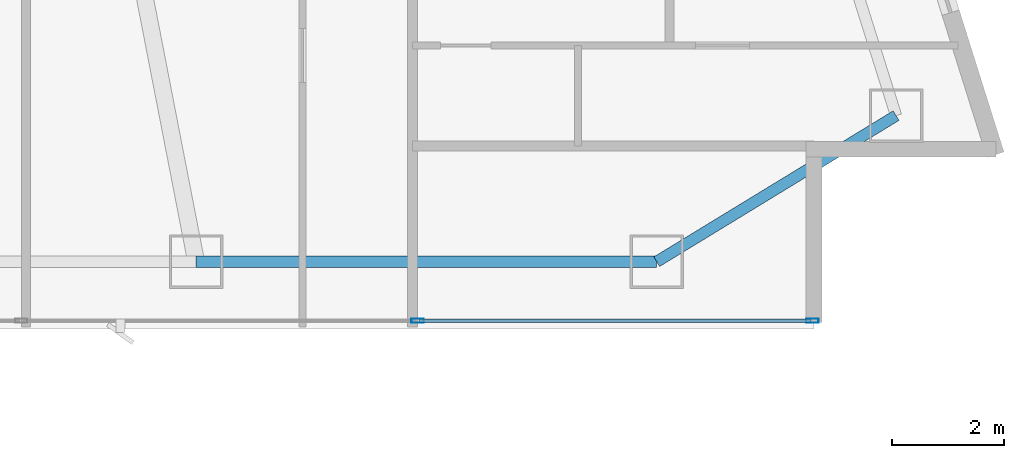
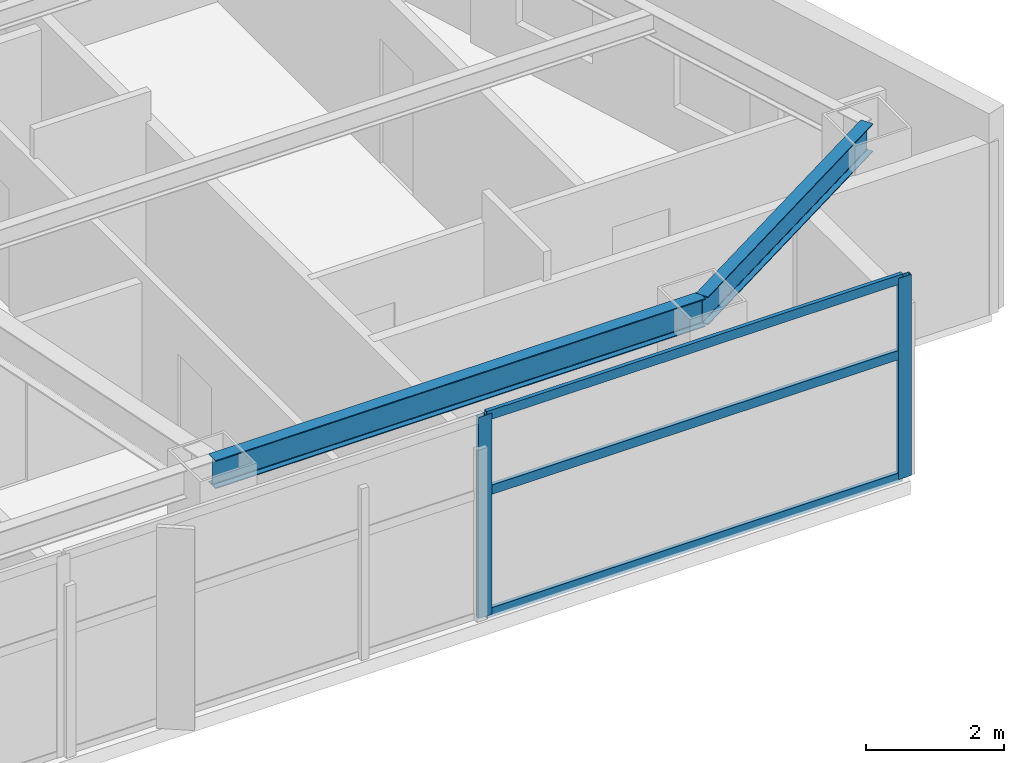
# One storey, part 14 of 29: 5 members, 2 beams, 1 element without a shape of its own.
"""IFC4 building model written with IfcOpenShell, lengths in metres."""

from ifc_helpers import new_model, si_unit, direction, frame, origin, origin_2d, place, context, subcontext, project, spatial, hollow_rectangle, i_section, extrude, material, layer, layer_set, material_profile, profile_set, type_object, element, aggregate, save


model = new_model("IFC4")

# Units and contexts
model_context = context("Model", 3, precision=1e-05, world=origin(), true_north=direction((0.0, 1.0)))
body_context = subcontext(model_context, "Body", "Model", "MODEL_VIEW")
ifc_project = project(units=[si_unit("LENGTHUNIT", "METRE"), si_unit("AREAUNIT", "SQUARE_METRE"), si_unit("VOLUMEUNIT", "CUBIC_METRE"), si_unit("PLANEANGLEUNIT", "RADIAN"), si_unit("MASSUNIT", "GRAM", prefix="KILO")], contexts=[model_context])

# Site, building, storey
site_placement = place(None, origin())
site = spatial("IfcSite", under=ifc_project, at=site_placement, CompositionType="ELEMENT")
building_placement = place(site_placement, origin())
building = spatial("IfcBuilding", under=site, at=building_placement, Name="Calvorn Quay Hotel", CompositionType="ELEMENT")
storey_placement = place(building_placement, frame((0.0, 0.0, 85.0)))
storey = spatial("IfcBuildingStorey", under=building, at=storey_placement, Name="L20", CompositionType="ELEMENT", Elevation=85.0)

# Beams
ifc_material_1 = material(Name="Steel Q355B", Category="steel")
ifc_material_profile_1 = material_profile(ifc_material_1, i_section(OverallWidth=0.199951171875, OverallDepth=0.5, WebThickness=0.010009765625, FlangeThickness=0.01611328125, FilletRadius=0.01611328125, at=origin_2d()), Name="HN500x200x10x16")
ifc_profile_set_1 = profile_set([ifc_material_profile_1], Name="Steel Q355B")
beam_type = type_object("IfcBeamType", Name="BM-SPANDREL-Z1", PredefinedType="SPANDREL", material=ifc_profile_set_1)
beam_1_placement = place(storey_placement, frame((49.39990234375, 3.60009765625, 3.2900390625), z_axis=(1.0, 0.0, 0.0), x_axis=(0.0, 1.0, 0.0)))
element("IfcBeam", 1, at=beam_1_placement, inside=storey, type_object=beam_type, Name="Beam BSP-L20-S6", PredefinedType="SPANDREL", context=body_context, shape_type="SweptSolid", body=[
    extrude(i_section(OverallWidth=0.199951171875, OverallDepth=0.5, WebThickness=0.010009765625, FlangeThickness=0.01611328125, FilletRadius=0.01611328125, at=origin_2d()), origin(), (0.0, 0.0, 1.0), 8.2001953125),
])
beam_2_placement = place(storey_placement, frame((57.60009765625, 3.60009765625, 3.2900390625), z_axis=(0.853645546466, 0.520854376, 0.0), x_axis=(-0.520854376, 0.853645546466, 0.0)))
element("IfcBeam", 2, at=beam_2_placement, inside=storey, type_object=beam_type, Name="Beam BSP-L20-S7", PredefinedType="SPANDREL", context=body_context, shape_type="SweptSolid", body=[
    extrude(i_section(OverallWidth=0.199951171875, OverallDepth=0.5, WebThickness=0.010009765625, FlangeThickness=0.01611328125, FilletRadius=0.01611328125, at=origin_2d()), origin(), (0.0, 0.0, 1.0), 4.991455078125),
])

# Curtain wall, members
ifc_material_2 = material(Name="Pale Anodised Aluminium and Low-E Glass", Category="aluminium")
ifc_layer = layer(ifc_material_2, 0.219970703125)
ifc_layer_set = layer_set([ifc_layer], Name="CW-SYS-Z1")
curtain_wall_type = type_object("IfcCurtainWallType", Name="CW-SYS-Z1", PredefinedType="NOTDEFINED", material=ifc_layer_set)
curtain_wall_placement = place(storey_placement, origin())
curtain_wall = element("IfcCurtainWall", 3, at=curtain_wall_placement, inside=storey, type_object=curtain_wall_type, Name="Tower South Waterfront Curtain Wall (L20)", PredefinedType="NOTDEFINED")
ifc_material_3 = material(Name="Pale Anodised Aluminium 6063-T6", Category="aluminium")
ifc_material_profile_2 = material_profile(ifc_material_3, hollow_rectangle(XDim=0.074951171875, YDim=0.219970703125, WallThickness=0.00439453125, at=origin_2d()), Name="ALU-M220x75x4.5")
ifc_profile_set_2 = profile_set([ifc_material_profile_2], Name="Pale Anodised Aluminium 6063-T6")
member_type_1 = type_object("IfcMemberType", Name="CW-SYS-Z1-MUL", PredefinedType="MULLION", material=ifc_profile_set_2)
member_1_placement = place(storey_placement, frame((53.3427734375, 2.550048828125, 0.0), z_axis=(0.0, 0.0, 1.0), x_axis=(0.0, 1.0, 0.0)))
member_1 = element("IfcMember", 4, at=member_1_placement, type_object=member_type_1, Name="CW-L20-S mullion 7", PredefinedType="MULLION", context=body_context, shape_type="SweptSolid", body=[
    extrude(hollow_rectangle(XDim=0.074951171875, YDim=0.219970703125, WallThickness=0.00439453125, at=origin_2d()), origin(), (0.0, 0.0, 1.0), 3.56005859375),
])
member_2_placement = place(storey_placement, frame((60.3701171875, 2.550048828125, 0.0), z_axis=(0.0, 0.0, 1.0), x_axis=(0.0, 1.0, 0.0)))
member_2 = element("IfcMember", 5, at=member_2_placement, type_object=member_type_1, Name="CW-L20-S mullion 8", PredefinedType="MULLION", context=body_context, shape_type="SweptSolid", body=[
    extrude(hollow_rectangle(XDim=0.074951171875, YDim=0.219970703125, WallThickness=0.00439453125, at=origin_2d()), origin(), (0.0, 0.0, 1.0), 3.56005859375),
])
ifc_material_4 = material(Name="Pale Anodised Aluminium 6063-T6", Category="aluminium")
ifc_material_profile_3 = material_profile(ifc_material_4, hollow_rectangle(XDim=0.06494140625, YDim=0.1650390625, WallThickness=0.00341796875, at=origin_2d()), Name="ALU-T165x65x3.5")
ifc_profile_set_3 = profile_set([ifc_material_profile_3], Name="Pale Anodised Aluminium 6063-T6")
member_type_2 = type_object("IfcMemberType", Name="CW-SYS-Z1-TRN", PredefinedType="USERDEFINED", material=ifc_profile_set_3)
member_3_placement = place(storey_placement, frame((53.372802734375, 2.550048828125, 0.030029296875), z_axis=(1.0, 0.0, 0.0), x_axis=(0.0, 1.0, 0.0)))
member_3 = element("IfcMember", 6, at=member_3_placement, type_object=member_type_2, Name="CW-L20-S transom 7.1", ObjectType="TRANSOM", PredefinedType="USERDEFINED", context=body_context, shape_type="SweptSolid", body=[
    extrude(hollow_rectangle(XDim=0.06494140625, YDim=0.1650390625, WallThickness=0.00341796875, at=origin_2d()), origin(), (0.0, 0.0, 1.0), 6.96728515625),
])
member_4_placement = place(storey_placement, frame((53.372802734375, 2.550048828125, 2.199951171875), z_axis=(1.0, 0.0, 0.0), x_axis=(0.0, 1.0, 0.0)))
member_4 = element("IfcMember", 7, at=member_4_placement, type_object=member_type_2, Name="CW-L20-S transom 7.2", ObjectType="TRANSOM", PredefinedType="USERDEFINED", context=body_context, shape_type="SweptSolid", body=[
    extrude(hollow_rectangle(XDim=0.06494140625, YDim=0.1650390625, WallThickness=0.00341796875, at=origin_2d()), origin(), (0.0, 0.0, 1.0), 6.96728515625),
])
member_5_placement = place(storey_placement, frame((53.372802734375, 2.550048828125, 3.530029296875), z_axis=(1.0, 0.0, 0.0), x_axis=(0.0, 1.0, 0.0)))
member_5 = element("IfcMember", 8, at=member_5_placement, type_object=member_type_2, Name="CW-L20-S transom 7.3", ObjectType="TRANSOM", PredefinedType="USERDEFINED", context=body_context, shape_type="SweptSolid", body=[
    extrude(hollow_rectangle(XDim=0.06494140625, YDim=0.1650390625, WallThickness=0.00341796875, at=origin_2d()), origin(), (0.0, 0.0, 1.0), 6.96728515625),
])
aggregate(curtain_wall, [member_1, member_2, member_3, member_4, member_5])

save(model, "model.ifc")
